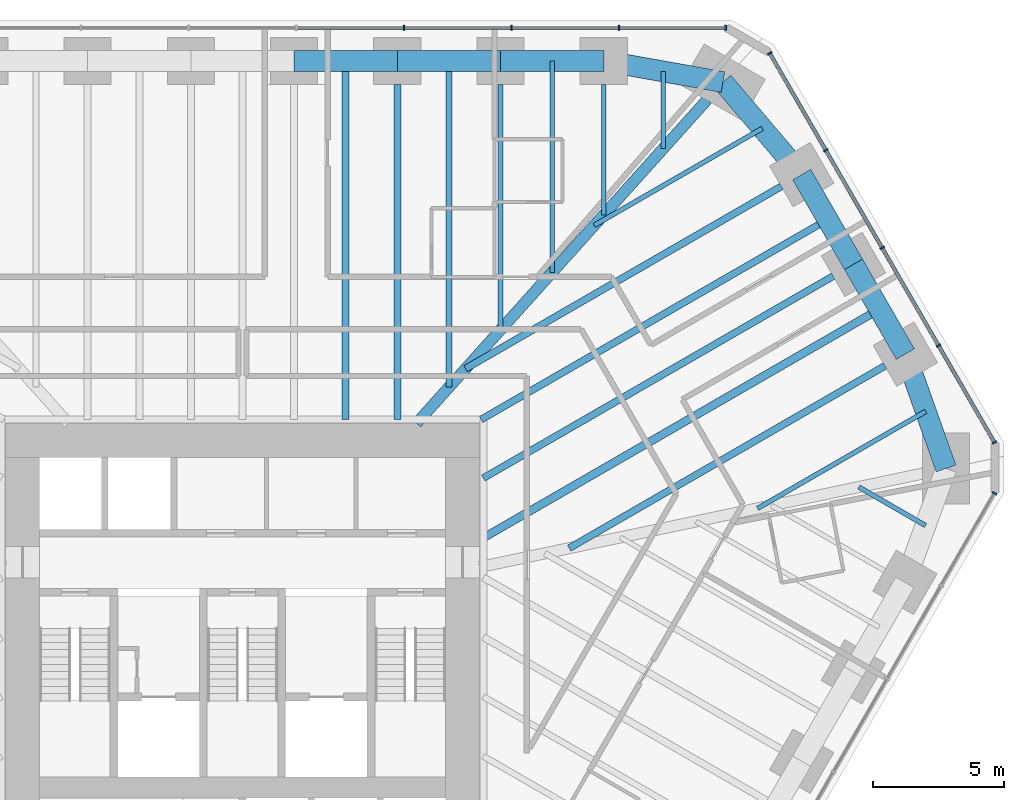
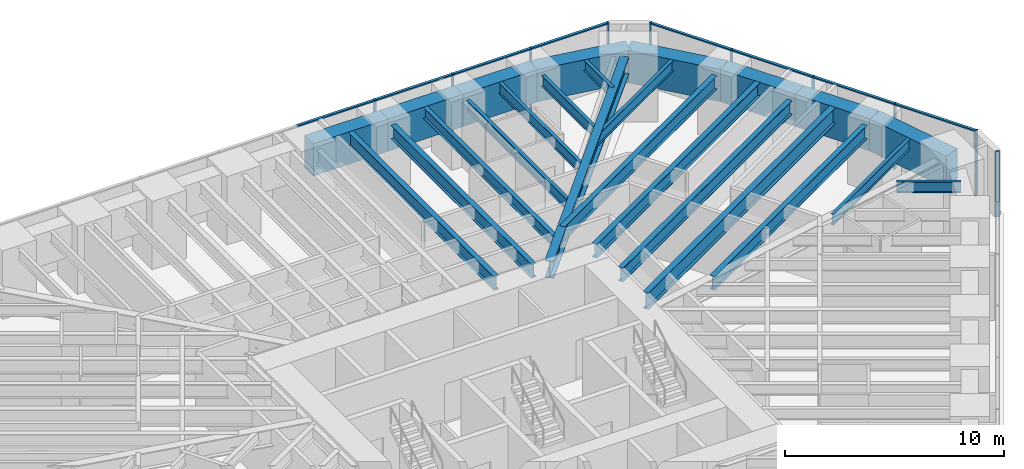
# One storey, part 9 of 16: 24 beams, 18 members, 3 elements without a shape of their own.
"""IFC4 building model written with IfcOpenShell, lengths in metres."""

from ifc_helpers import new_model, si_unit, direction, frame, origin, origin_2d, place, context, subcontext, project, spatial, rectangle, i_section, extrude, material, material_profile, profile_set, type_object, element, aggregate, save


model = new_model("IFC4")

# Units and contexts
model_context = context("Model", 3, precision=1e-05, world=origin(), true_north=direction((0.0, 1.0)))
body_context = subcontext(model_context, "Body", "Model", "MODEL_VIEW")
ifc_project = project(units=[si_unit("LENGTHUNIT", "METRE"), si_unit("AREAUNIT", "SQUARE_METRE"), si_unit("VOLUMEUNIT", "CUBIC_METRE"), si_unit("PLANEANGLEUNIT", "RADIAN"), si_unit("MASSUNIT", "GRAM", prefix="KILO")], contexts=[model_context])

# Site, building, storey
site_placement = place(None, origin())
site = spatial("IfcSite", under=ifc_project, at=site_placement, CompositionType="ELEMENT")
building_placement = place(site_placement, origin())
building = spatial("IfcBuilding", under=site, at=building_placement, Name="Sandreach Pilgrim Tower", CompositionType="ELEMENT")
storey_placement = place(building_placement, frame((0.0, 0.0, 134.800048828125)))
storey = spatial("IfcBuildingStorey", under=building, at=storey_placement, Name="L33", CompositionType="ELEMENT", Elevation=134.800048828125)

# Curtain wall, members
ifc_material_1 = material(Name="Aluminium framed curtain wall", Category="aluminium")
curtain_wall_type = type_object("IfcCurtainWallType", Name="Hotel tower curtain wall", PredefinedType="NOTDEFINED", material=ifc_material_1)
curtain_wall_1_placement = place(storey_placement, origin())
curtain_wall_1 = element("IfcCurtainWall", 1, at=curtain_wall_1_placement, inside=storey, type_object=curtain_wall_type, Name="CW-2 L33 N", PredefinedType="NOTDEFINED")
ifc_material_2 = material(Name="Aluminium extrusion", Category="aluminium")
ifc_material_profile_1 = material_profile(ifc_material_2, rectangle(XDim=0.06494140625, YDim=0.179931640625, at=origin_2d()), Name="CW-2M 65X180")
ifc_profile_set_1 = profile_set([ifc_material_profile_1], Name="Aluminium extrusion")
member_type_1 = type_object("IfcMemberType", Name="CW-2 mullion", PredefinedType="MULLION", material=ifc_profile_set_1)
member_1_placement = place(storey_placement, frame((6.160400390625, 22.493896484375, 0.0), z_axis=(0.0, 0.0, 1.0), x_axis=(1.0, 0.0, 0.0)))
member_1 = element("IfcMember", 2, at=member_1_placement, type_object=member_type_1, Name="CW-2 mullion 7", PredefinedType="MULLION", context=body_context, shape_type="SweptSolid", body=[
    extrude(rectangle(XDim=0.06494140625, YDim=0.179931640625, at=origin_2d()), origin(), (0.0, 0.0, 1.0), 3.639892578125),
])
member_2_placement = place(storey_placement, frame((10.267333984375, 22.493896484375, 0.0), z_axis=(0.0, 0.0, 1.0), x_axis=(1.0, 0.0, 0.0)))
member_2 = element("IfcMember", 3, at=member_2_placement, type_object=member_type_1, Name="CW-2 mullion 8", PredefinedType="MULLION", context=body_context, shape_type="SweptSolid", body=[
    extrude(rectangle(XDim=0.06494140625, YDim=0.179931640625, at=origin_2d()), origin(), (0.0, 0.0, 1.0), 3.639892578125),
])
member_3_placement = place(storey_placement, frame((14.37451171875, 22.493896484375, 0.0), z_axis=(0.0, 0.0, 1.0), x_axis=(1.0, 0.0, 0.0)))
member_3 = element("IfcMember", 4, at=member_3_placement, type_object=member_type_1, Name="CW-2 mullion 9", PredefinedType="MULLION", context=body_context, shape_type="SweptSolid", body=[
    extrude(rectangle(XDim=0.06494140625, YDim=0.179931640625, at=origin_2d()), origin(), (0.0, 0.0, 1.0), 3.639892578125),
])
member_4_placement = place(storey_placement, frame((18.448974609375, 22.493896484375, 0.0), z_axis=(0.0, 0.0, 1.0), x_axis=(1.0, 0.0, 0.0)))
member_4 = element("IfcMember", 5, at=member_4_placement, type_object=member_type_1, Name="CW-2 mullion 10", PredefinedType="MULLION", context=body_context, shape_type="SweptSolid", body=[
    extrude(rectangle(XDim=0.06494140625, YDim=0.179931640625, at=origin_2d()), origin(), (0.0, 0.0, 1.0), 3.639892578125),
])

curtain_wall_2_placement = place(storey_placement, origin())
curtain_wall_2 = element("IfcCurtainWall", 6, at=curtain_wall_2_placement, inside=storey, type_object=curtain_wall_type, Name="CW-2 L33 NE", PredefinedType="NOTDEFINED")
member_5_placement = place(storey_placement, frame((20.125732421875, 21.525634765625, 0.0), z_axis=(0.0, 0.0, 1.0), x_axis=(0.5, -0.866025403784, 0.0)))
member_5 = element("IfcMember", 7, at=member_5_placement, type_object=member_type_1, Name="CW-2 mullion 1", PredefinedType="MULLION", context=body_context, shape_type="SweptSolid", body=[
    extrude(rectangle(XDim=0.06494140625, YDim=0.179931640625, at=origin_2d()), origin(), (0.0, 0.0, 1.0), 3.639892578125),
])
member_6_placement = place(storey_placement, frame((22.262451171875, 17.824951171875, 0.0), z_axis=(0.0, 0.0, 1.0), x_axis=(0.5, -0.866025403784, 0.0)))
member_6 = element("IfcMember", 8, at=member_6_placement, type_object=member_type_1, Name="CW-2 mullion 2", PredefinedType="MULLION", context=body_context, shape_type="SweptSolid", body=[
    extrude(rectangle(XDim=0.06494140625, YDim=0.179931640625, at=origin_2d()), origin(), (0.0, 0.0, 1.0), 3.639892578125),
])
member_7_placement = place(storey_placement, frame((24.415283203125, 14.09619140625, 0.0), z_axis=(0.0, 0.0, 1.0), x_axis=(0.5, -0.866025403784, 0.0)))
member_7 = element("IfcMember", 9, at=member_7_placement, type_object=member_type_1, Name="CW-2 mullion 3", PredefinedType="MULLION", context=body_context, shape_type="SweptSolid", body=[
    extrude(rectangle(XDim=0.06494140625, YDim=0.179931640625, at=origin_2d()), origin(), (0.0, 0.0, 1.0), 3.639892578125),
])
member_8_placement = place(storey_placement, frame((26.568115234375, 10.3671875, 0.0), z_axis=(0.0, 0.0, 1.0), x_axis=(0.5, -0.866025403784, 0.0)))
member_8 = element("IfcMember", 10, at=member_8_placement, type_object=member_type_1, Name="CW-2 mullion 4", PredefinedType="MULLION", context=body_context, shape_type="SweptSolid", body=[
    extrude(rectangle(XDim=0.06494140625, YDim=0.179931640625, at=origin_2d()), origin(), (0.0, 0.0, 1.0), 3.639892578125),
])
member_9_placement = place(storey_placement, frame((28.70458984375, 6.66650390625, 0.0), z_axis=(0.0, 0.0, 1.0), x_axis=(0.5, -0.866025403784, 0.0)))
member_9 = element("IfcMember", 11, at=member_9_placement, type_object=member_type_1, Name="CW-2 mullion 5", PredefinedType="MULLION", context=body_context, shape_type="SweptSolid", body=[
    extrude(rectangle(XDim=0.06494140625, YDim=0.179931640625, at=origin_2d()), origin(), (0.0, 0.0, 1.0), 3.639892578125),
])

# Curtain wall, member
curtain_wall_3_placement = place(storey_placement, origin())
curtain_wall_3 = element("IfcCurtainWall", 12, at=curtain_wall_3_placement, inside=storey, type_object=curtain_wall_type, Name="CW-2 L33 SE", PredefinedType="NOTDEFINED")
member_10_placement = place(storey_placement, frame((28.70458984375, 4.730224609375, 0.0), z_axis=(0.0, 0.0, 1.0), x_axis=(-0.5, -0.866025403784, 0.0)))
member_10 = element("IfcMember", 13, at=member_10_placement, type_object=member_type_1, Name="CW-2 mullion 1", PredefinedType="MULLION", context=body_context, shape_type="SweptSolid", body=[
    extrude(rectangle(XDim=0.06494140625, YDim=0.179931640625, at=origin_2d()), origin(), (0.0, 0.0, 1.0), 3.639892578125),
])
aggregate(curtain_wall_3, [member_10])

# Member
ifc_material_3 = material(Name="Aluminium extrusion", Category="aluminium")
ifc_material_profile_2 = material_profile(ifc_material_3, rectangle(XDim=0.139892578125, YDim=0.070068359375, at=origin_2d()), Name="CW-2T 140X70")
ifc_profile_set_2 = profile_set([ifc_material_profile_2], Name="Aluminium extrusion")
member_type_2 = type_object("IfcMemberType", Name="CW-2 transom", PredefinedType="USERDEFINED", material=ifc_profile_set_2)
member_11_placement = place(storey_placement, frame((2.0859375, 22.493896484375, 3.60498046875), z_axis=(1.0, 0.0, 0.0), x_axis=(0.0, 1.0, 0.0)))
member_11 = element("IfcMember", 14, at=member_11_placement, type_object=member_type_2, Name="CW-2 head transom 6", ObjectType="TRANSOM", PredefinedType="USERDEFINED", context=body_context, shape_type="SweptSolid", body=[
    extrude(rectangle(XDim=0.139892578125, YDim=0.070068359375, at=origin_2d()), origin(), (0.0, 0.0, 1.0), 4.0419921875),
])

member_12_placement = place(storey_placement, frame((6.19287109375, 22.493896484375, 3.60498046875), z_axis=(1.0, 0.0, 0.0), x_axis=(0.0, 1.0, 0.0)))
member_12 = element("IfcMember", 15, at=member_12_placement, type_object=member_type_2, Name="CW-2 head transom 7", ObjectType="TRANSOM", PredefinedType="USERDEFINED", context=body_context, shape_type="SweptSolid", body=[
    extrude(rectangle(XDim=0.139892578125, YDim=0.070068359375, at=origin_2d()), origin(), (0.0, 0.0, 1.0), 4.0419921875),
])

member_13_placement = place(storey_placement, frame((10.300048828125, 22.493896484375, 3.60498046875), z_axis=(1.0, 0.0, 0.0), x_axis=(0.0, 1.0, 0.0)))
member_13 = element("IfcMember", 16, at=member_13_placement, type_object=member_type_2, Name="CW-2 head transom 8", ObjectType="TRANSOM", PredefinedType="USERDEFINED", context=body_context, shape_type="SweptSolid", body=[
    extrude(rectangle(XDim=0.139892578125, YDim=0.070068359375, at=origin_2d()), origin(), (0.0, 0.0, 1.0), 4.041748046875),
])

member_14_placement = place(storey_placement, frame((14.406982421875, 22.493896484375, 3.60498046875), z_axis=(1.0, 0.0, 0.0), x_axis=(0.0, 1.0, 0.0)))
member_14 = element("IfcMember", 17, at=member_14_placement, type_object=member_type_2, Name="CW-2 head transom 9", ObjectType="TRANSOM", PredefinedType="USERDEFINED", context=body_context, shape_type="SweptSolid", body=[
    extrude(rectangle(XDim=0.139892578125, YDim=0.070068359375, at=origin_2d()), origin(), (0.0, 0.0, 1.0), 4.00927734375),
])

aggregate(curtain_wall_1, [member_1, member_2, member_3, member_4, member_11, member_12, member_13, member_14])

member_15_placement = place(storey_placement, frame((20.14208984375, 21.49755859375, 3.60498046875), z_axis=(0.49997020258, -0.86604260665, 0.0), x_axis=(0.86604260665, 0.49997020258, 0.0)))
member_15 = element("IfcMember", 18, at=member_15_placement, type_object=member_type_2, Name="CW-2 head transom 1", ObjectType="TRANSOM", PredefinedType="USERDEFINED", context=body_context, shape_type="SweptSolid", body=[
    extrude(rectangle(XDim=0.139892578125, YDim=0.070068359375, at=origin_2d()), origin(), (0.0, 0.0, 1.0), 4.208251953125),
])

member_16_placement = place(storey_placement, frame((22.278564453125, 17.796875, 3.60498046875), z_axis=(0.499996541496, -0.866027400544, 0.0), x_axis=(0.866027400544, 0.499996541496, 0.0)))
member_16 = element("IfcMember", 19, at=member_16_placement, type_object=member_type_2, Name="CW-2 head transom 2", ObjectType="TRANSOM", PredefinedType="USERDEFINED", context=body_context, shape_type="SweptSolid", body=[
    extrude(rectangle(XDim=0.139892578125, YDim=0.070068359375, at=origin_2d()), origin(), (0.0, 0.0, 1.0), 4.24072265625),
])

member_17_placement = place(storey_placement, frame((24.431396484375, 14.06787109375, 3.60498046875), z_axis=(0.500021471012, -0.866013007135, 0.0), x_axis=(0.866013007135, 0.500021471012, 0.0)))
member_17 = element("IfcMember", 20, at=member_17_placement, type_object=member_type_2, Name="CW-2 head transom 3", ObjectType="TRANSOM", PredefinedType="USERDEFINED", context=body_context, shape_type="SweptSolid", body=[
    extrude(rectangle(XDim=0.139892578125, YDim=0.070068359375, at=origin_2d()), origin(), (0.0, 0.0, 1.0), 4.240478515625),
])

member_18_placement = place(storey_placement, frame((26.584228515625, 10.339111328125, 3.60498046875), z_axis=(0.500038835258, -0.866002981077, 0.0), x_axis=(0.866002981077, 0.500038835258, 0.0)))
member_18 = element("IfcMember", 21, at=member_18_placement, type_object=member_type_2, Name="CW-2 head transom 4", ObjectType="TRANSOM", PredefinedType="USERDEFINED", context=body_context, shape_type="SweptSolid", body=[
    extrude(rectangle(XDim=0.139892578125, YDim=0.070068359375, at=origin_2d()), origin(), (0.0, 0.0, 1.0), 4.208251953125),
])

aggregate(curtain_wall_2, [member_5, member_6, member_7, member_8, member_9, member_15, member_16, member_17, member_18])

# Beams
ifc_material_4 = material(Name="Steel ASTM A992 Grade 50", Category="steel")
ifc_material_profile_3 = material_profile(ifc_material_4, i_section(OverallWidth=0.424072265625, OverallDepth=0.965087890625, WebThickness=0.028564453125, FlangeThickness=0.051025390625, at=origin_2d()), Name="W36X361")
ifc_profile_set_3 = profile_set([ifc_material_profile_3], Name="Steel ASTM A992 Grade 50")
beam_type_1 = type_object("IfcBeamType", Name="Corner girder W36X361", PredefinedType="BEAM", material=ifc_profile_set_3)
beam_1_placement = place(storey_placement, frame((17.738037109375, 19.754150390625, 3.157470703125), z_axis=(-0.66811374471, -0.74405915365, 0.0), x_axis=(0.74405915365, -0.66811374471, 0.0)))
element("IfcBeam", 22, at=beam_1_placement, inside=storey, type_object=beam_type_1, Name="BM L33 CG09", PredefinedType="BEAM", context=body_context, shape_type="SweptSolid", body=[
    extrude(i_section(OverallWidth=0.424072265625, OverallDepth=0.965087890625, WebThickness=0.028564453125, FlangeThickness=0.051025390625, at=origin_2d()), origin(), (0.0, 0.0, 1.0), 16.603759765625),
])
ifc_material_5 = material(Name="Steel ASTM A992 Grade 50", Category="steel")
ifc_material_profile_4 = material_profile(ifc_material_5, i_section(OverallWidth=0.1787109375, OverallDepth=0.60205078125, WebThickness=0.010986328125, FlangeThickness=0.014892578125, at=origin_2d()), Name="W24X62")
ifc_profile_set_4 = profile_set([ifc_material_profile_4], Name="Steel ASTM A992 Grade 50")
beam_type_2 = type_object("IfcBeamType", Name="Floor beam W24X62", PredefinedType="BEAM", material=ifc_profile_set_4)
beam_2_placement = place(storey_placement, frame((9.849853515625, 20.333740234375, 3.3388671875), z_axis=(0.0, -1.0, 0.0), x_axis=(1.0, 0.0, 0.0)))
element("IfcBeam", 23, at=beam_2_placement, inside=storey, type_object=beam_type_2, Name="BM L33 F07", PredefinedType="BEAM", context=body_context, shape_type="SweptSolid", body=[
    extrude(i_section(OverallWidth=0.1787109375, OverallDepth=0.60205078125, WebThickness=0.010986328125, FlangeThickness=0.014892578125, at=origin_2d()), origin(), (0.0, 0.0, 1.0), 9.3642578125),
])
beam_3_placement = place(storey_placement, frame((13.789794921875, 20.333740234375, 3.3388671875), z_axis=(0.0, -1.0, 0.0), x_axis=(1.0, 0.0, 0.0)))
element("IfcBeam", 24, at=beam_3_placement, inside=storey, type_object=beam_type_2, Name="BM L33 F08", PredefinedType="BEAM", context=body_context, shape_type="SweptSolid", body=[
    extrude(i_section(OverallWidth=0.1787109375, OverallDepth=0.60205078125, WebThickness=0.010986328125, FlangeThickness=0.014892578125, at=origin_2d()), origin(), (0.0, 0.0, 1.0), 4.9765625),
])
beam_4_placement = place(storey_placement, frame((11.81982421875, 21.23388671875, 3.3388671875), z_axis=(0.0, -1.0, 0.0), x_axis=(1.0, 0.0, 0.0)))
element("IfcBeam", 25, at=beam_4_placement, inside=storey, type_object=beam_type_2, Name="BM L33 FM07", PredefinedType="BEAM", context=body_context, shape_type="SweptSolid", body=[
    extrude(i_section(OverallWidth=0.1787109375, OverallDepth=0.60205078125, WebThickness=0.010986328125, FlangeThickness=0.014892578125, at=origin_2d()), origin(), (0.0, 0.0, 1.0), 8.070556640625),
])
beam_5_placement = place(storey_placement, frame((16.064697265625, 20.828857421875, 3.3388671875), z_axis=(0.0, -1.0, 0.0), x_axis=(1.0, 0.0, 0.0)))
element("IfcBeam", 26, at=beam_5_placement, inside=storey, type_object=beam_type_2, Name="BM L33 FM08", PredefinedType="BEAM", context=body_context, shape_type="SweptSolid", body=[
    extrude(i_section(OverallWidth=0.1787109375, OverallDepth=0.60205078125, WebThickness=0.010986328125, FlangeThickness=0.014892578125, at=origin_2d()), origin(), (0.0, 0.0, 1.0), 2.938232421875),
])
for number, where, z_axis, x_axis, name in (
    (27, (19.8427734375, 18.65771484375, 3.3388671875), (-0.866025875064, -0.499999183719, 0.0), (0.499999183719, -0.866025875064, 0.0), "BM L33 FM09"),
    (28, (26.079345703125, 7.855712890625, 3.3388671875), (-0.866025875064, -0.499999183719, 0.0), (0.499999183719, -0.866025875064, 0.0), "BM L33 FM12"),
):
    element("IfcBeam", number, at=place(storey_placement, frame(where, z_axis=z_axis, x_axis=x_axis)), inside=storey, type_object=beam_type_2, Name=name, PredefinedType="BEAM", context=body_context, shape_type="SweptSolid", body=[
        extrude(i_section(OverallWidth=0.1787109375, OverallDepth=0.60205078125, WebThickness=0.010986328125, FlangeThickness=0.014892578125, at=origin_2d()), origin(), (0.0, 0.0, 1.0), 7.40771484375),
    ])
beam_6_placement = place(storey_placement, frame((26.070556640625, 3.498046875, 3.3388671875), z_axis=(-0.866051374412, 0.499955014855, 0.0), x_axis=(-0.499955014855, -0.866051374412, 0.0)))
element("IfcBeam", 29, at=beam_6_placement, inside=storey, type_object=beam_type_2, Name="BM L33 FM13", PredefinedType="BEAM", context=body_context, shape_type="SweptSolid", body=[
    extrude(i_section(OverallWidth=0.1787109375, OverallDepth=0.60205078125, WebThickness=0.010986328125, FlangeThickness=0.014892578125, at=origin_2d()), origin(), (0.0, 0.0, 1.0), 2.938232421875),
])
ifc_material_6 = material(Name="Steel ASTM A992 Grade 50", Category="steel")
ifc_material_profile_5 = material_profile(ifc_material_6, i_section(OverallWidth=0.23046875, OverallDepth=0.6171875, WebThickness=0.01318359375, FlangeThickness=0.022216796875, at=origin_2d()), Name="W24X94")
ifc_profile_set_5 = profile_set([ifc_material_profile_5], Name="Steel ASTM A992 Grade 50")
beam_type_3 = type_object("IfcBeamType", Name="Floor beam W24X94", PredefinedType="BEAM", material=ifc_profile_set_5)
beam_7_placement = place(storey_placement, frame((7.8798828125, 21.23388671875, 3.331298828125), z_axis=(0.0, -1.0, 0.0), x_axis=(1.0, 0.0, 0.0)))
element("IfcBeam", 30, at=beam_7_placement, inside=storey, type_object=beam_type_3, Name="BM L33 FM06", PredefinedType="BEAM", context=body_context, shape_type="SweptSolid", body=[
    extrude(i_section(OverallWidth=0.23046875, OverallDepth=0.6171875, WebThickness=0.01318359375, FlangeThickness=0.022216796875, at=origin_2d()), origin(), (0.0, 0.0, 1.0), 12.458251953125),
])
ifc_material_7 = material(Name="Steel ASTM A992 Grade 50", Category="steel")
ifc_material_profile_6 = material_profile(ifc_material_7, i_section(OverallWidth=0.2666015625, OverallDepth=0.761962890625, WebThickness=0.014404296875, FlangeThickness=0.021484375, at=origin_2d()), Name="W30X116")
ifc_profile_set_6 = profile_set([ifc_material_profile_6], Name="Steel ASTM A992 Grade 50")
beam_type_4 = type_object("IfcBeamType", Name="Floor beam W30X116", PredefinedType="BEAM", material=ifc_profile_set_6)
beam_8_placement = place(storey_placement, frame((5.909912109375, 20.333740234375, 3.259033203125), z_axis=(0.0, -1.0, 0.0), x_axis=(1.0, 0.0, 0.0)))
element("IfcBeam", 31, at=beam_8_placement, inside=storey, type_object=beam_type_4, Name="BM L33 F06", PredefinedType="BEAM", context=body_context, shape_type="SweptSolid", body=[
    extrude(i_section(OverallWidth=0.2666015625, OverallDepth=0.761962890625, WebThickness=0.014404296875, FlangeThickness=0.021484375, at=origin_2d()), origin(), (0.0, 0.0, 1.0), 12.790283203125),
])
beam_9_placement = place(storey_placement, frame((20.56689453125, 16.44140625, 3.259033203125), z_axis=(-0.866022263426, -0.500005439221, 0.0), x_axis=(0.500005439221, -0.866022263426, 0.0)))
element("IfcBeam", 32, at=beam_9_placement, inside=storey, type_object=beam_type_4, Name="BM L33 F10", PredefinedType="BEAM", context=body_context, shape_type="SweptSolid", body=[
    extrude(i_section(OverallWidth=0.2666015625, OverallDepth=0.761962890625, WebThickness=0.014404296875, FlangeThickness=0.021484375, at=origin_2d()), origin(), (0.0, 0.0, 1.0), 13.915283203125),
])
beam_10_placement = place(storey_placement, frame((24.522216796875, 9.5908203125, 3.259033203125), z_axis=(-0.866026649588, -0.499997842199, 0.0), x_axis=(0.499997842199, -0.866026649588, 0.0)))
element("IfcBeam", 33, at=beam_10_placement, inside=storey, type_object=beam_type_4, Name="BM L33 F12", PredefinedType="BEAM", context=body_context, shape_type="SweptSolid", body=[
    extrude(i_section(OverallWidth=0.2666015625, OverallDepth=0.761962890625, WebThickness=0.014404296875, FlangeThickness=0.021484375, at=origin_2d()), origin(), (0.0, 0.0, 1.0), 13.91552734375),
])
beam_11_placement = place(storey_placement, frame((3.93994140625, 21.23388671875, 3.259033203125), z_axis=(0.0, -1.0, 0.0), x_axis=(1.0, 0.0, 0.0)))
element("IfcBeam", 34, at=beam_11_placement, inside=storey, type_object=beam_type_4, Name="BM L33 FM05", PredefinedType="BEAM", context=body_context, shape_type="SweptSolid", body=[
    extrude(i_section(OverallWidth=0.2666015625, OverallDepth=0.761962890625, WebThickness=0.014404296875, FlangeThickness=0.021484375, at=origin_2d()), origin(), (0.0, 0.0, 1.0), 13.6904296875),
])
ifc_material_8 = material(Name="Steel ASTM A992 Grade 50", Category="steel")
ifc_material_profile_7 = material_profile(ifc_material_8, i_section(OverallWidth=0.2666015625, OverallDepth=0.77978515625, WebThickness=0.0166015625, FlangeThickness=0.030029296875, at=origin_2d()), Name="W30X148")
ifc_profile_set_7 = profile_set([ifc_material_profile_7], Name="Steel ASTM A992 Grade 50")
beam_type_5 = type_object("IfcBeamType", Name="Floor beam W30X148", PredefinedType="BEAM", material=ifc_profile_set_7)
beam_12_placement = place(storey_placement, frame((22.544677734375, 13.01611328125, 3.25), z_axis=(-0.866029203842, -0.49999341805, 0.0), x_axis=(0.49999341805, -0.866029203842, 0.0)))
element("IfcBeam", 35, at=beam_12_placement, inside=storey, type_object=beam_type_5, Name="BM L33 F11", PredefinedType="BEAM", context=body_context, shape_type="SweptSolid", body=[
    extrude(i_section(OverallWidth=0.2666015625, OverallDepth=0.77978515625, WebThickness=0.0166015625, FlangeThickness=0.030029296875, at=origin_2d()), origin(), (0.0, 0.0, 1.0), 15.416748046875),
])
beam_13_placement = place(storey_placement, frame((22.335205078125, 15.1787109375, 3.25), z_axis=(-0.866028773314, -0.499994163758, 0.0), x_axis=(0.499994163758, -0.866028773314, 0.0)))
element("IfcBeam", 36, at=beam_13_placement, inside=storey, type_object=beam_type_5, Name="BM L33 FM10", PredefinedType="BEAM", context=body_context, shape_type="SweptSolid", body=[
    extrude(i_section(OverallWidth=0.2666015625, OverallDepth=0.77978515625, WebThickness=0.0166015625, FlangeThickness=0.030029296875, at=origin_2d()), origin(), (0.0, 0.0, 1.0), 15.270751953125),
])
ifc_material_9 = material(Name="Steel ASTM A992 Grade 50", Category="steel")
ifc_material_profile_8 = material_profile(ifc_material_9, i_section(OverallWidth=0.3046875, OverallDepth=0.914306640625, WebThickness=0.0166015625, FlangeThickness=0.02587890625, at=origin_2d()), Name="W36X160")
ifc_profile_set_8 = profile_set([ifc_material_profile_8], Name="Steel ASTM A992 Grade 50")
beam_type_6 = type_object("IfcBeamType", Name="Floor beam W36X160", PredefinedType="BEAM", material=ifc_profile_set_8)
beam_14_placement = place(storey_placement, frame((24.312744140625, 11.75341796875, 3.182861328125), z_axis=(-0.866023737483, -0.500002886107, 0.0), x_axis=(0.500002886107, -0.866023737483, 0.0)))
element("IfcBeam", 37, at=beam_14_placement, inside=storey, type_object=beam_type_6, Name="BM L33 FM11", PredefinedType="BEAM", context=body_context, shape_type="SweptSolid", body=[
    extrude(i_section(OverallWidth=0.3046875, OverallDepth=0.914306640625, WebThickness=0.0166015625, FlangeThickness=0.02587890625, at=origin_2d()), origin(), (0.0, 0.0, 1.0), 17.45849609375),
])
ifc_material_10 = material(Name="Concrete 10000 psi", Category="concrete")
ifc_material_profile_9 = material_profile(ifc_material_10, rectangle(XDim=0.800048828125, YDim=1.800048828125, at=origin_2d()), Name="RC800X1800")
ifc_profile_set_9 = profile_set([ifc_material_profile_9], Name="Concrete 10000 psi")
beam_type_7 = type_object("IfcBeamType", Name="Spandrel beam RC800X1800", PredefinedType="SPANDREL", material=ifc_profile_set_9)
for number, where, z_axis, x_axis, name in (
    (38, (1.969970703125, 21.23388671875, 2.739990234375), (1.0, 0.0, 0.0), (0.0, 1.0, 0.0), "BM L33 SP05"),
    (39, (5.909912109375, 21.23388671875, 2.739990234375), (1.0, 0.0, 0.0), (0.0, 1.0, 0.0), "BM L33 SP06"),
    (40, (9.849853515625, 21.23388671875, 2.739990234375), (1.0, 0.0, 0.0), (0.0, 1.0, 0.0), "BM L33 SP07"),
):
    element("IfcBeam", number, at=place(storey_placement, frame(where, z_axis=z_axis, x_axis=x_axis)), inside=storey, type_object=beam_type_7, Name=name, PredefinedType="SPANDREL", context=body_context, shape_type="SweptSolid", body=[
        extrude(rectangle(XDim=0.800048828125, YDim=1.800048828125, at=origin_2d()), origin(), (0.0, 0.0, 1.0), 3.93994140625),
    ])
beam_15_placement = place(storey_placement, frame((13.789794921875, 21.23388671875, 2.739990234375), z_axis=(0.984515938739, -0.175295083699, 0.0), x_axis=(0.175295083699, 0.984515938739, 0.0)))
element("IfcBeam", 41, at=beam_15_placement, inside=storey, type_object=beam_type_7, Name="BM L33 SP08", PredefinedType="SPANDREL", context=body_context, shape_type="SweptSolid", body=[
    extrude(rectangle(XDim=0.800048828125, YDim=1.800048828125, at=origin_2d()), origin(), (0.0, 0.0, 1.0), 4.62109375),
])
beam_16_placement = place(storey_placement, frame((18.33935546875, 20.423828125, 2.739990234375), z_axis=(0.648208888384, -0.761462564425, 0.0), x_axis=(0.761462564425, 0.648208888384, 0.0)))
element("IfcBeam", 42, at=beam_16_placement, inside=storey, type_object=beam_type_7, Name="BM L33 SP09", PredefinedType="SPANDREL", context=body_context, shape_type="SweptSolid", body=[
    extrude(rectangle(XDim=0.800048828125, YDim=1.800048828125, at=origin_2d()), origin(), (0.0, 0.0, 1.0), 4.63916015625),
])
for number, where, z_axis, x_axis, name in (
    (43, (21.346435546875, 16.891357421875, 2.739990234375), (0.499989616998, -0.866031398331, 0.0), (0.866031398331, 0.499989616998, 0.0), "BM L33 SP10"),
    (44, (23.323974609375, 13.466064453125, 2.739990234375), (0.499989616998, -0.866031398331, 0.0), (0.866031398331, 0.499989616998, 0.0), "BM L33 SP11"),
):
    element("IfcBeam", number, at=place(storey_placement, frame(where, z_axis=z_axis, x_axis=x_axis)), inside=storey, type_object=beam_type_7, Name=name, PredefinedType="SPANDREL", context=body_context, shape_type="SweptSolid", body=[
        extrude(rectangle(XDim=0.800048828125, YDim=1.800048828125, at=origin_2d()), origin(), (0.0, 0.0, 1.0), 3.955078125),
    ])
beam_17_placement = place(storey_placement, frame((25.301513671875, 10.040771484375, 2.739990234375), z_axis=(0.335346041399, -0.942095023083, 0.0), x_axis=(0.942095023083, 0.335346041399, 0.0)))
element("IfcBeam", 45, at=beam_17_placement, inside=storey, type_object=beam_type_7, Name="BM L33 SP12", PredefinedType="SPANDREL", context=body_context, shape_type="SweptSolid", body=[
    extrude(rectangle(XDim=0.800048828125, YDim=1.800048828125, at=origin_2d()), origin(), (0.0, 0.0, 1.0), 4.638916015625),
])

save(model, "model.ifc")
